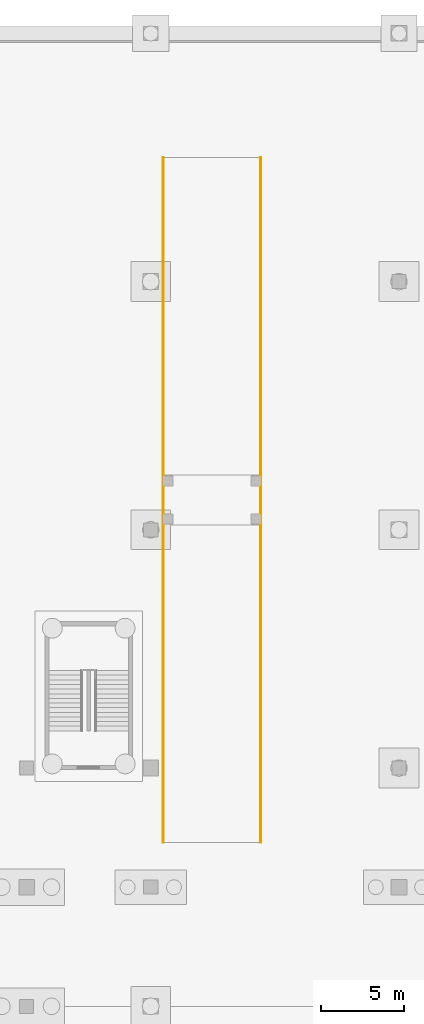
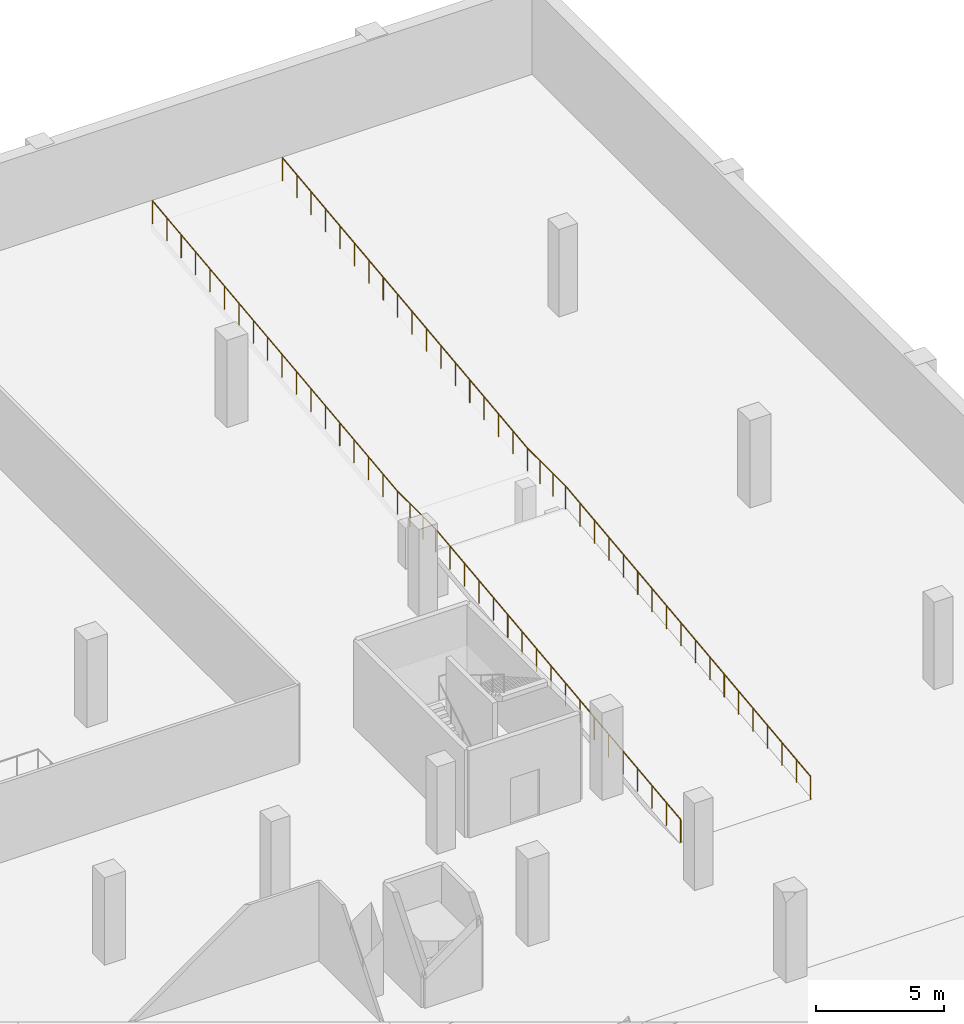
# One storey, part 25 of 26: 2 railings.
"""IFC4 building model written with IfcOpenShell, lengths in metres."""

import ifcopenshell
import ifcopenshell.guid

model = None  # the IFC model being written
_history = None  # IfcOwnerHistory: only IFC2X3 demands one
_inside = {}  # id of a spatial element -> (the spatial element, [elements in it])
_under = {}  # id of a project, library or spatial element -> (it, [spatial elements below it])
_declared = {}  # id of a project -> (the project, [libraries it declares])
_typed = {}  # id of a type object -> (the type object, [elements of that type])
_made_of = {}  # id of a material, layer set ... -> (it, [elements and type objects made of it])


def new_model(schema):
    """Start an empty IFC model of exactly this schema.

    Asked for "IFC4X3", IfcOpenShell would pick the latest addendum, in which some entities
    have other attributes; the version numbers below select the first issue.
    IFC2X3 requires an IfcOwnerHistory on every rooted entity: one is made here for all.
    """
    global model, _history
    if schema == "IFC4X3":
        model = ifcopenshell.file(schema_version=(4, 3, 0, 0))
    else:
        model = ifcopenshell.file(schema=schema)
    _inside.clear()
    _under.clear()
    _declared.clear()
    _typed.clear()
    _made_of.clear()
    _history = None
    if model.schema == "IFC2X3":
        org = make("IfcOrganization", Name="unknown")
        user = make(
            "IfcPersonAndOrganization",
            ThePerson=make("IfcPerson", FamilyName="unknown"),
            TheOrganization=org,
        )
        app = make(
            "IfcApplication",
            ApplicationDeveloper=org,
            Version="unknown",
            ApplicationFullName="unknown",
            ApplicationIdentifier="unknown",
        )
        _history = make(
            "IfcOwnerHistory",
            OwningUser=user,
            OwningApplication=app,
            ChangeAction="ADDED",
            CreationDate=0,
        )
    return model


def make(cls, **values):
    """One entity of the class cls with the attributes given. An attribute that is None is left unset."""
    return model.create_entity(
        cls, **{name: value for name, value in values.items() if value is not None}
    )


def rooted(cls, **values):
    """An entity with a GlobalId (a new one), such as an element, a storey or a relation."""
    return make(cls, GlobalId=ifcopenshell.guid.new(), OwnerHistory=_history, **values)


def si_unit(unit_type, name, prefix=None):
    """IfcSIUnit, for example si_unit("LENGTHUNIT", "METRE", prefix="MILLI")."""
    return make("IfcSIUnit", UnitType=unit_type, Prefix=prefix, Name=name)


def assignment(units):
    """IfcUnitAssignment: the units of a project."""
    return None if units is None else make("IfcUnitAssignment", Units=units)


def point(xyz):
    """IfcCartesianPoint."""
    return None if xyz is None else make("IfcCartesianPoint", Coordinates=xyz)


def direction(xyz):
    """IfcDirection."""
    return None if xyz is None else make("IfcDirection", DirectionRatios=xyz)


def frame(location, z_axis=None, x_axis=None):
    """IfcAxis2Placement3D, a coordinate frame: its origin and axes. An axis left out is left unset."""
    return make(
        "IfcAxis2Placement3D",
        Location=point(location),
        Axis=direction(z_axis),
        RefDirection=direction(x_axis),
    )


def frame_2d(location, x_axis=None):
    """IfcAxis2Placement2D, a coordinate frame in the plane: its origin and x axis."""
    return make(
        "IfcAxis2Placement2D", Location=point(location), RefDirection=direction(x_axis)
    )


def origin():
    """The frame at (0, 0, 0) with its axes left unset."""
    return frame((0.0, 0.0, 0.0))


def origin_2d():
    """The frame at (0, 0) in the plane with its x axis left unset."""
    return frame_2d((0.0, 0.0))


def place(relative_to, where):
    """IfcLocalPlacement: puts the frame where relative to a parent placement (None: the world)."""
    return make(
        "IfcLocalPlacement", PlacementRelTo=relative_to, RelativePlacement=where
    )


def context(
    kind, dimensions, precision=None, world=None, true_north=None, identifier=None
):
    """IfcGeometricRepresentationContext, for example the 3D "Model" context."""
    return make(
        "IfcGeometricRepresentationContext",
        ContextIdentifier=identifier,
        ContextType=kind,
        CoordinateSpaceDimension=dimensions,
        Precision=precision,
        WorldCoordinateSystem=world,
        TrueNorth=true_north,
    )


def subcontext(parent, identifier, kind, view, scale=None):
    """IfcGeometricRepresentationSubContext, for example "Body" below "Model"."""
    return make(
        "IfcGeometricRepresentationSubContext",
        ContextIdentifier=identifier,
        ContextType=kind,
        ParentContext=parent,
        TargetScale=scale,
        TargetView=view,
    )


def project(units=None, contexts=None):
    """IfcProject with its units and contexts."""
    return rooted(
        "IfcProject",
        Name="project",
        RepresentationContexts=contexts,
        UnitsInContext=assignment(units),
    )


def spatial(cls, under=None, at=None, **own):
    """A site, building, storey or space (cls), placed at a placement, below another one or the project."""
    s = rooted(cls, ObjectPlacement=at, **own)
    if under is not None:
        _under.setdefault(under.id(), (under, []))[1].append(s)
    return s


def profile(cls, at=None, kind="AREA", **sizes):
    """A parametric profile (cls). Its sizes go by their IFC names, for example OverallWidth=200.0."""
    return make(cls, ProfileType=kind, Position=at, **sizes)


def circle(**sizes):
    """IfcCircleProfileDef."""
    return profile("IfcCircleProfileDef", **sizes)


def extrude(swept, where, along, depth):
    """IfcExtrudedAreaSolid: the profile swept, set in the frame where, extruded along a direction by depth."""
    return make(
        "IfcExtrudedAreaSolid",
        SweptArea=swept,
        Position=where,
        ExtrudedDirection=direction(along),
        Depth=depth,
    )


def shape(context_of_items, identifier, shape_type, items):
    """IfcShapeRepresentation: the items that make up one representation, for example the "Body"."""
    return make(
        "IfcShapeRepresentation",
        ContextOfItems=context_of_items,
        RepresentationIdentifier=identifier,
        RepresentationType=shape_type,
        Items=items,
    )


def material(Name=None, Category=None):
    """IfcMaterial."""
    return make("IfcMaterial", Name=Name, Category=Category)


def layer(
    of_material, thickness, ventilated=None, Name=None, Category=None, Priority=None
):
    """IfcMaterialLayer: one layer of a wall or slab, of a material (None: an air gap)."""
    return make(
        "IfcMaterialLayer",
        Material=of_material,
        LayerThickness=thickness,
        IsVentilated=ventilated,
        Name=Name,
        Category=Category,
        Priority=Priority,
    )


def layer_set(layers, Name=None):
    """IfcMaterialLayerSet."""
    return make("IfcMaterialLayerSet", MaterialLayers=layers, LayerSetName=Name)


def made_of(thing, what):
    """Note that an element or type object is made of a material, layer set ...; save() writes the relation."""
    if what is not None:
        _made_of.setdefault(what.id(), (what, []))[1].append(thing)
    return thing


def type_object(cls, material=None, **own):
    """A type object (cls), such as IfcWallType, which elements share."""
    return made_of(rooted(cls, **own), material)


def element(
    cls,
    number,
    at=None,
    inside=None,
    cuts=None,
    type_object=None,
    material=None,
    context=None,
    identifier="Body",
    shape_type=None,
    held_by="IfcProductDefinitionShape",
    body=None,
    shapes=None,
    **own,
):
    """One element of the class cls, such as IfcWall. Its Tag is "e" and its number.

    at: its placement. inside: the storey or other place that contains it. cuts: it is an
    opening in that element (IfcRelVoidsElement). A single representation is given by context,
    identifier, shape_type and body (its items); several are given by shapes. held_by: the class
    of the entity that holds the representations. save() writes the other relations.
    """
    e = rooted(cls, Tag="e%d" % number, ObjectPlacement=at, **own)
    if body is not None:
        shapes = [shape(context, identifier, shape_type, body)]
    if shapes is not None:
        e.Representation = make(held_by, Representations=shapes)
    if inside is not None:
        _inside.setdefault(inside.id(), (inside, []))[1].append(e)
    if cuts is not None:
        rooted(
            "IfcRelVoidsElement", RelatingBuildingElement=cuts, RelatedOpeningElement=e
        )
    if type_object is not None:
        _typed.setdefault(type_object.id(), (type_object, []))[1].append(e)
    return made_of(e, material)


def aggregate(whole, parts):
    """IfcRelAggregates: a whole, such as a stair, and the parts it consists of."""
    return rooted("IfcRelAggregates", RelatingObject=whole, RelatedObjects=parts)


def save(model, path):
    """Write the relations noted so far, then the file.

    IfcRelAggregates (storeys below a building ...), IfcRelContainedInSpatialStructure (elements
    in a storey), IfcRelDefinesByType, IfcRelAssociatesMaterial and IfcRelDeclares: one each for
    every whole, place, type object, material and project.
    """
    for whole, parts in _under.values():
        aggregate(whole, parts)
    for where, things in _inside.values():
        rooted(
            "IfcRelContainedInSpatialStructure",
            RelatedElements=things,
            RelatingStructure=where,
        )
    for kind, things in _typed.values():
        rooted("IfcRelDefinesByType", RelatedObjects=things, RelatingType=kind)
    for what, things in _made_of.values():
        rooted("IfcRelAssociatesMaterial", RelatedObjects=things, RelatingMaterial=what)
    for by, libraries in _declared.values():
        rooted("IfcRelDeclares", RelatingContext=by, RelatedDefinitions=libraries)
    model.write(path)


model = new_model("IFC4")

# Units and contexts
model_context = context("Model", 3, precision=1e-05, world=origin(), true_north=direction((0.0, 1.0)))
body_context = subcontext(model_context, "Body", "Model", "MODEL_VIEW")
ifc_project = project(units=[si_unit("LENGTHUNIT", "METRE"), si_unit("AREAUNIT", "SQUARE_METRE"), si_unit("VOLUMEUNIT", "CUBIC_METRE"), si_unit("PLANEANGLEUNIT", "RADIAN"), si_unit("MASSUNIT", "GRAM", prefix="KILO")], contexts=[model_context])

# Site, building, storey
site_placement = place(None, origin())
site = spatial("IfcSite", under=ifc_project, at=site_placement, CompositionType="ELEMENT")
building_placement = place(site_placement, origin())
building = spatial("IfcBuilding", under=site, at=building_placement, Name="Akrevak Sports Hall", CompositionType="ELEMENT")
storey_placement = place(building_placement, frame((0.0, 0.0, -9.0)))
storey = spatial("IfcBuildingStorey", under=building, at=storey_placement, Name="B02", CompositionType="ELEMENT", Elevation=-9.0)

# Railings
ifc_material = material(Name="Painted Architectural Balustrade Steel", Category="steel")
ifc_layer = layer(ifc_material, 0.06005859375, Name="Painted Architectural Balustrade Steel")
ifc_layer_set = layer_set([ifc_layer], Name="Painted Architectural Balustrade Steel")
railing_type = type_object("IfcRailingType", Name="ARC-RL-GRD-1120", PredefinedType="GUARDRAIL", material=ifc_layer_set)
railing_1_placement = place(storey_placement, frame((146.260009765625, 65.10009765625, 0.0)))
element("IfcRailing", 1, at=railing_1_placement, inside=storey, type_object=railing_type, Name="Ramp R1 Side Guardrail W", PredefinedType="GUARDRAIL", context=body_context, shape_type="SweptSolid", body=[
    extrude(circle(Radius=0.02392578125, at=origin_2d()), frame((0.0, 0.0, 1.09619140625), z_axis=(0.0, 0.993203433267, 0.116391323334), x_axis=(-1.0, 0.0, 0.0)), (0.0, 0.0, 1.0), 19.331298828125),
    extrude(circle(Radius=0.02392578125, at=origin_2d()), frame((0.0, 19.199951171875, 3.34619140625), z_axis=(0.0, 1.0, 0.0), x_axis=(-1.0, 0.0, 0.0)), (0.0, 0.0, 1.0), 3.0),
    extrude(circle(Radius=0.02392578125, at=origin_2d()), frame((0.0, 22.199951171875, 3.34619140625), z_axis=(0.0, 0.993203433267, 0.116391323334), x_axis=(-1.0, 0.0, 0.0)), (0.0, 0.0, 1.0), 19.331298828125),
    extrude(circle(Radius=0.02099609375, at=origin_2d()), origin(), (0.0, 0.0, 1.0), 1.072021484375),
    extrude(circle(Radius=0.02099609375, at=origin_2d()), frame((0.0, 1.12939453125, 0.13232421875)), (0.0, 0.0, 1.0), 1.072021484375),
    extrude(circle(Radius=0.02099609375, at=origin_2d()), frame((0.0, 2.2587890625, 0.2646484375)), (0.0, 0.0, 1.0), 1.072021484375),
    extrude(circle(Radius=0.02099609375, at=origin_2d()), frame((0.0, 3.38818359375, 0.39697265625)), (0.0, 0.0, 1.0), 1.072021484375),
    extrude(circle(Radius=0.02099609375, at=origin_2d()), frame((0.0, 4.517578125, 0.529296875)), (0.0, 0.0, 1.0), 1.072021484375),
    extrude(circle(Radius=0.02099609375, at=origin_2d()), frame((0.0, 5.64697265625, 0.661865234375)), (0.0, 0.0, 1.0), 1.072021484375),
    extrude(circle(Radius=0.02099609375, at=origin_2d()), frame((0.0, 6.7763671875, 0.794189453125)), (0.0, 0.0, 1.0), 1.072021484375),
    extrude(circle(Radius=0.02099609375, at=origin_2d()), frame((0.0, 7.90576171875, 0.926513671875)), (0.0, 0.0, 1.0), 1.072021484375),
    extrude(circle(Radius=0.02099609375, at=origin_2d()), frame((0.0, 9.03515625, 1.058837890625)), (0.0, 0.0, 1.0), 1.072021484375),
    extrude(circle(Radius=0.02099609375, at=origin_2d()), frame((0.0, 10.164794921875, 1.191162109375)), (0.0, 0.0, 1.0), 1.072021484375),
    extrude(circle(Radius=0.02099609375, at=origin_2d()), frame((0.0, 11.294189453125, 1.323486328125)), (0.0, 0.0, 1.0), 1.072021484375),
    extrude(circle(Radius=0.02099609375, at=origin_2d()), frame((0.0, 12.423583984375, 1.455810546875)), (0.0, 0.0, 1.0), 1.072021484375),
    extrude(circle(Radius=0.02099609375, at=origin_2d()), frame((0.0, 13.552978515625, 1.588134765625)), (0.0, 0.0, 1.0), 1.072021484375),
    extrude(circle(Radius=0.02099609375, at=origin_2d()), frame((0.0, 14.682373046875, 1.720703125)), (0.0, 0.0, 1.0), 1.072021484375),
    extrude(circle(Radius=0.02099609375, at=origin_2d()), frame((0.0, 15.811767578125, 1.85302734375)), (0.0, 0.0, 1.0), 1.072021484375),
    extrude(circle(Radius=0.02099609375, at=origin_2d()), frame((0.0, 16.941162109375, 1.9853515625)), (0.0, 0.0, 1.0), 1.072021484375),
    extrude(circle(Radius=0.02099609375, at=origin_2d()), frame((0.0, 18.070556640625, 2.11767578125)), (0.0, 0.0, 1.0), 1.072021484375),
    extrude(circle(Radius=0.02099609375, at=origin_2d()), frame((0.0, 19.199951171875, 2.25)), (0.0, 0.0, 1.0), 1.072021484375),
    extrude(circle(Radius=0.02099609375, at=origin_2d()), frame((0.0, 20.199951171875, 2.25)), (0.0, 0.0, 1.0), 1.072021484375),
    extrude(circle(Radius=0.02099609375, at=origin_2d()), frame((0.0, 21.199951171875, 2.25)), (0.0, 0.0, 1.0), 1.072021484375),
    extrude(circle(Radius=0.02099609375, at=origin_2d()), frame((0.0, 22.199951171875, 2.25)), (0.0, 0.0, 1.0), 1.072021484375),
    extrude(circle(Radius=0.02099609375, at=origin_2d()), frame((0.0, 23.329345703125, 2.38232421875)), (0.0, 0.0, 1.0), 1.072021484375),
    extrude(circle(Radius=0.02099609375, at=origin_2d()), frame((0.0, 24.458740234375, 2.5146484375)), (0.0, 0.0, 1.0), 1.072021484375),
    extrude(circle(Radius=0.02099609375, at=origin_2d()), frame((0.0, 25.588134765625, 2.64697265625)), (0.0, 0.0, 1.0), 1.072021484375),
    extrude(circle(Radius=0.02099609375, at=origin_2d()), frame((0.0, 26.717529296875, 2.779296875)), (0.0, 0.0, 1.0), 1.072021484375),
    extrude(circle(Radius=0.02099609375, at=origin_2d()), frame((0.0, 27.846923828125, 2.911865234375)), (0.0, 0.0, 1.0), 1.072021484375),
    extrude(circle(Radius=0.02099609375, at=origin_2d()), frame((0.0, 28.976318359375, 3.044189453125)), (0.0, 0.0, 1.0), 1.072021484375),
    extrude(circle(Radius=0.02099609375, at=origin_2d()), frame((0.0, 30.105712890625, 3.176513671875)), (0.0, 0.0, 1.0), 1.072021484375),
    extrude(circle(Radius=0.02099609375, at=origin_2d()), frame((0.0, 31.235107421875, 3.308837890625)), (0.0, 0.0, 1.0), 1.072021484375),
    extrude(circle(Radius=0.02099609375, at=origin_2d()), frame((0.0, 32.36474609375, 3.441162109375)), (0.0, 0.0, 1.0), 1.072021484375),
    extrude(circle(Radius=0.02099609375, at=origin_2d()), frame((0.0, 33.494140625, 3.573486328125)), (0.0, 0.0, 1.0), 1.072021484375),
    extrude(circle(Radius=0.02099609375, at=origin_2d()), frame((0.0, 34.62353515625, 3.705810546875)), (0.0, 0.0, 1.0), 1.072021484375),
    extrude(circle(Radius=0.02099609375, at=origin_2d()), frame((0.0, 35.7529296875, 3.838134765625)), (0.0, 0.0, 1.0), 1.072021484375),
    extrude(circle(Radius=0.02099609375, at=origin_2d()), frame((0.0, 36.88232421875, 3.970703125)), (0.0, 0.0, 1.0), 1.072021484375),
    extrude(circle(Radius=0.02099609375, at=origin_2d()), frame((0.0, 38.01171875, 4.10302734375)), (0.0, 0.0, 1.0), 1.072021484375),
    extrude(circle(Radius=0.02099609375, at=origin_2d()), frame((0.0, 39.14111328125, 4.2353515625)), (0.0, 0.0, 1.0), 1.072021484375),
    extrude(circle(Radius=0.02099609375, at=origin_2d()), frame((0.0, 40.2705078125, 4.36767578125)), (0.0, 0.0, 1.0), 1.072021484375),
    extrude(circle(Radius=0.02099609375, at=origin_2d()), frame((0.0, 41.39990234375, 4.5)), (0.0, 0.0, 1.0), 1.072021484375),
])
railing_2_placement = place(storey_placement, frame((152.139892578125, 65.10009765625, 0.0)))
element("IfcRailing", 2, at=railing_2_placement, inside=storey, type_object=railing_type, Name="Ramp R1 Side Guardrail E", PredefinedType="GUARDRAIL", context=body_context, shape_type="SweptSolid", body=[
    extrude(circle(Radius=0.02392578125, at=origin_2d()), frame((0.0, 0.0, 1.09619140625), z_axis=(0.0, 0.993203433267, 0.116391323334), x_axis=(-1.0, 0.0, 0.0)), (0.0, 0.0, 1.0), 19.331298828125),
    extrude(circle(Radius=0.02392578125, at=origin_2d()), frame((0.0, 19.199951171875, 3.34619140625), z_axis=(0.0, 1.0, 0.0), x_axis=(-1.0, 0.0, 0.0)), (0.0, 0.0, 1.0), 3.0),
    extrude(circle(Radius=0.02392578125, at=origin_2d()), frame((0.0, 22.199951171875, 3.34619140625), z_axis=(0.0, 0.993203433267, 0.116391323334), x_axis=(-1.0, 0.0, 0.0)), (0.0, 0.0, 1.0), 19.331298828125),
    extrude(circle(Radius=0.02099609375, at=origin_2d()), origin(), (0.0, 0.0, 1.0), 1.072021484375),
    extrude(circle(Radius=0.02099609375, at=origin_2d()), frame((0.0, 1.12939453125, 0.13232421875)), (0.0, 0.0, 1.0), 1.072021484375),
    extrude(circle(Radius=0.02099609375, at=origin_2d()), frame((0.0, 2.2587890625, 0.2646484375)), (0.0, 0.0, 1.0), 1.072021484375),
    extrude(circle(Radius=0.02099609375, at=origin_2d()), frame((0.0, 3.38818359375, 0.39697265625)), (0.0, 0.0, 1.0), 1.072021484375),
    extrude(circle(Radius=0.02099609375, at=origin_2d()), frame((0.0, 4.517578125, 0.529296875)), (0.0, 0.0, 1.0), 1.072021484375),
    extrude(circle(Radius=0.02099609375, at=origin_2d()), frame((0.0, 5.64697265625, 0.661865234375)), (0.0, 0.0, 1.0), 1.072021484375),
    extrude(circle(Radius=0.02099609375, at=origin_2d()), frame((0.0, 6.7763671875, 0.794189453125)), (0.0, 0.0, 1.0), 1.072021484375),
    extrude(circle(Radius=0.02099609375, at=origin_2d()), frame((0.0, 7.90576171875, 0.926513671875)), (0.0, 0.0, 1.0), 1.072021484375),
    extrude(circle(Radius=0.02099609375, at=origin_2d()), frame((0.0, 9.03515625, 1.058837890625)), (0.0, 0.0, 1.0), 1.072021484375),
    extrude(circle(Radius=0.02099609375, at=origin_2d()), frame((0.0, 10.164794921875, 1.191162109375)), (0.0, 0.0, 1.0), 1.072021484375),
    extrude(circle(Radius=0.02099609375, at=origin_2d()), frame((0.0, 11.294189453125, 1.323486328125)), (0.0, 0.0, 1.0), 1.072021484375),
    extrude(circle(Radius=0.02099609375, at=origin_2d()), frame((0.0, 12.423583984375, 1.455810546875)), (0.0, 0.0, 1.0), 1.072021484375),
    extrude(circle(Radius=0.02099609375, at=origin_2d()), frame((0.0, 13.552978515625, 1.588134765625)), (0.0, 0.0, 1.0), 1.072021484375),
    extrude(circle(Radius=0.02099609375, at=origin_2d()), frame((0.0, 14.682373046875, 1.720703125)), (0.0, 0.0, 1.0), 1.072021484375),
    extrude(circle(Radius=0.02099609375, at=origin_2d()), frame((0.0, 15.811767578125, 1.85302734375)), (0.0, 0.0, 1.0), 1.072021484375),
    extrude(circle(Radius=0.02099609375, at=origin_2d()), frame((0.0, 16.941162109375, 1.9853515625)), (0.0, 0.0, 1.0), 1.072021484375),
    extrude(circle(Radius=0.02099609375, at=origin_2d()), frame((0.0, 18.070556640625, 2.11767578125)), (0.0, 0.0, 1.0), 1.072021484375),
    extrude(circle(Radius=0.02099609375, at=origin_2d()), frame((0.0, 19.199951171875, 2.25)), (0.0, 0.0, 1.0), 1.072021484375),
    extrude(circle(Radius=0.02099609375, at=origin_2d()), frame((0.0, 20.199951171875, 2.25)), (0.0, 0.0, 1.0), 1.072021484375),
    extrude(circle(Radius=0.02099609375, at=origin_2d()), frame((0.0, 21.199951171875, 2.25)), (0.0, 0.0, 1.0), 1.072021484375),
    extrude(circle(Radius=0.02099609375, at=origin_2d()), frame((0.0, 22.199951171875, 2.25)), (0.0, 0.0, 1.0), 1.072021484375),
    extrude(circle(Radius=0.02099609375, at=origin_2d()), frame((0.0, 23.329345703125, 2.38232421875)), (0.0, 0.0, 1.0), 1.072021484375),
    extrude(circle(Radius=0.02099609375, at=origin_2d()), frame((0.0, 24.458740234375, 2.5146484375)), (0.0, 0.0, 1.0), 1.072021484375),
    extrude(circle(Radius=0.02099609375, at=origin_2d()), frame((0.0, 25.588134765625, 2.64697265625)), (0.0, 0.0, 1.0), 1.072021484375),
    extrude(circle(Radius=0.02099609375, at=origin_2d()), frame((0.0, 26.717529296875, 2.779296875)), (0.0, 0.0, 1.0), 1.072021484375),
    extrude(circle(Radius=0.02099609375, at=origin_2d()), frame((0.0, 27.846923828125, 2.911865234375)), (0.0, 0.0, 1.0), 1.072021484375),
    extrude(circle(Radius=0.02099609375, at=origin_2d()), frame((0.0, 28.976318359375, 3.044189453125)), (0.0, 0.0, 1.0), 1.072021484375),
    extrude(circle(Radius=0.02099609375, at=origin_2d()), frame((0.0, 30.105712890625, 3.176513671875)), (0.0, 0.0, 1.0), 1.072021484375),
    extrude(circle(Radius=0.02099609375, at=origin_2d()), frame((0.0, 31.235107421875, 3.308837890625)), (0.0, 0.0, 1.0), 1.072021484375),
    extrude(circle(Radius=0.02099609375, at=origin_2d()), frame((0.0, 32.36474609375, 3.441162109375)), (0.0, 0.0, 1.0), 1.072021484375),
    extrude(circle(Radius=0.02099609375, at=origin_2d()), frame((0.0, 33.494140625, 3.573486328125)), (0.0, 0.0, 1.0), 1.072021484375),
    extrude(circle(Radius=0.02099609375, at=origin_2d()), frame((0.0, 34.62353515625, 3.705810546875)), (0.0, 0.0, 1.0), 1.072021484375),
    extrude(circle(Radius=0.02099609375, at=origin_2d()), frame((0.0, 35.7529296875, 3.838134765625)), (0.0, 0.0, 1.0), 1.072021484375),
    extrude(circle(Radius=0.02099609375, at=origin_2d()), frame((0.0, 36.88232421875, 3.970703125)), (0.0, 0.0, 1.0), 1.072021484375),
    extrude(circle(Radius=0.02099609375, at=origin_2d()), frame((0.0, 38.01171875, 4.10302734375)), (0.0, 0.0, 1.0), 1.072021484375),
    extrude(circle(Radius=0.02099609375, at=origin_2d()), frame((0.0, 39.14111328125, 4.2353515625)), (0.0, 0.0, 1.0), 1.072021484375),
    extrude(circle(Radius=0.02099609375, at=origin_2d()), frame((0.0, 40.2705078125, 4.36767578125)), (0.0, 0.0, 1.0), 1.072021484375),
    extrude(circle(Radius=0.02099609375, at=origin_2d()), frame((0.0, 41.39990234375, 4.5)), (0.0, 0.0, 1.0), 1.072021484375),
])

save(model, "model.ifc")
